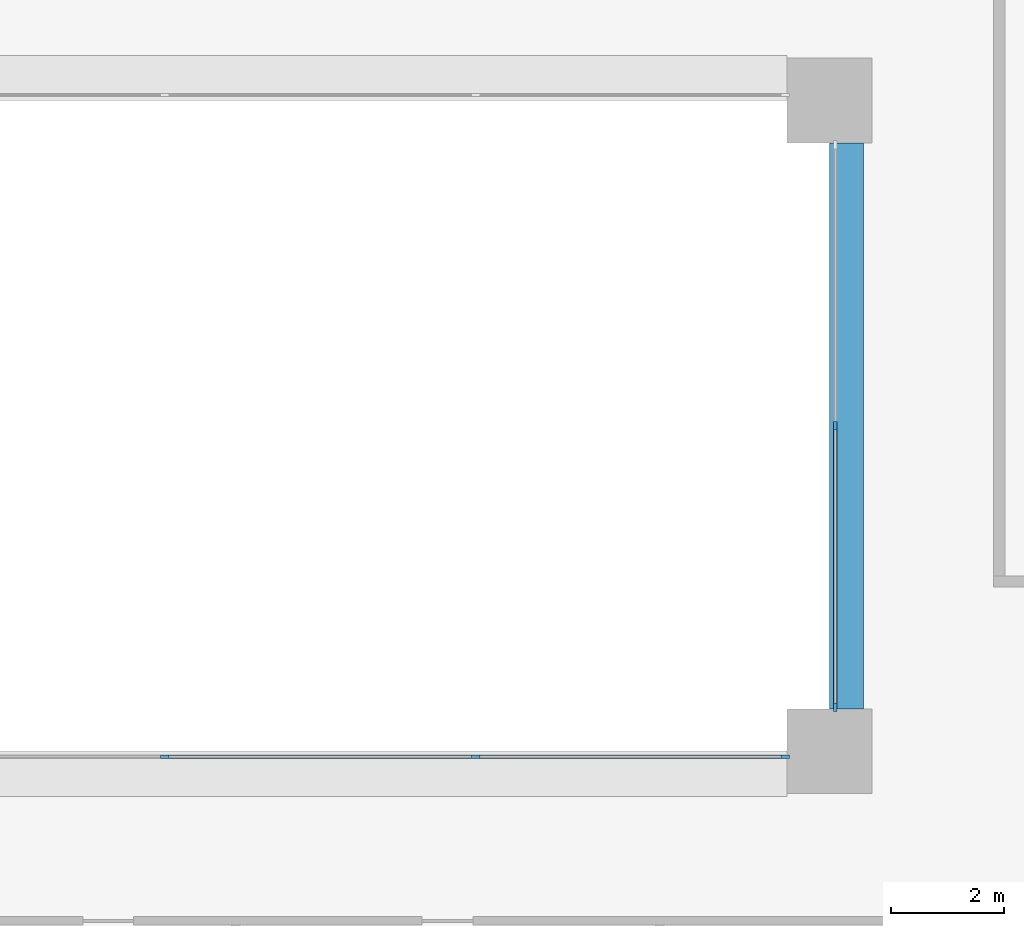
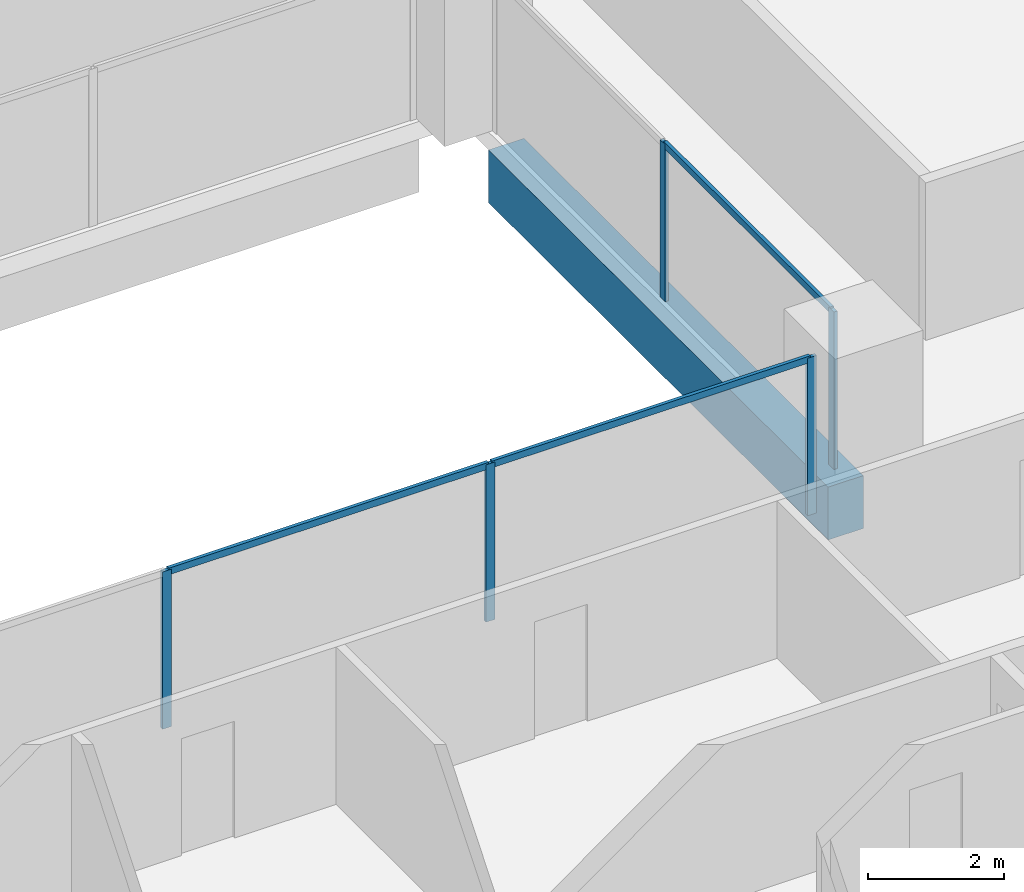
# One storey, part 4 of 20: 8 members, 1 beam, 2 elements without a shape of their own.
"""IFC4 building model written with IfcOpenShell, lengths in metres."""

from ifc_helpers import new_model, si_unit, direction, frame, origin, origin_2d, place, context, subcontext, project, spatial, rectangle, extrude, material, layer, layer_set, material_profile, profile_set, type_object, element, aggregate, save


model = new_model("IFC4")

# Units and contexts
model_context = context("Model", 3, precision=1e-05, world=origin(), true_north=direction((0.0, 1.0)))
body_context = subcontext(model_context, "Body", "Model", "MODEL_VIEW")
ifc_project = project(units=[si_unit("LENGTHUNIT", "METRE"), si_unit("AREAUNIT", "SQUARE_METRE"), si_unit("VOLUMEUNIT", "CUBIC_METRE"), si_unit("PLANEANGLEUNIT", "RADIAN"), si_unit("MASSUNIT", "GRAM", prefix="KILO")], contexts=[model_context])

# Site, building, storey
site_placement = place(None, origin())
site = spatial("IfcSite", under=ifc_project, at=site_placement, CompositionType="ELEMENT")
building_placement = place(site_placement, origin())
building = spatial("IfcBuilding", under=site, at=building_placement, Name="Brigalow Station Residences", CompositionType="ELEMENT")
storey_placement = place(building_placement, frame((0.0, 0.0, 66.75)))
storey = spatial("IfcBuildingStorey", under=building, at=storey_placement, Name="L19", CompositionType="ELEMENT", Elevation=66.75)

# Beam
ifc_material_1 = material(Name="Concrete C65", Category="concrete")
ifc_material_profile_1 = material_profile(ifc_material_1, rectangle(XDim=0.60009765625, YDim=0.949951171875, at=origin_2d()), Name="RC600x950")
ifc_profile_set_1 = profile_set([ifc_material_profile_1], Name="Concrete C65")
beam_type = type_object("IfcBeamType", Name="ATRIUM EDGE GIRDER 600x950 C65", PredefinedType="BEAM", material=ifc_profile_set_1)
beam_placement = place(storey_placement, frame((45.300048828125, 24.75, -0.794921875), z_axis=(0.0, 1.0, 0.0), x_axis=(-1.0, 0.0, 0.0)))
element("IfcBeam", 1, at=beam_placement, inside=storey, type_object=beam_type, Name="ATRIUM EDGE GIRDER 5 L19", PredefinedType="BEAM", context=body_context, shape_type="SweptSolid", body=[
    extrude(rectangle(XDim=0.60009765625, YDim=0.949951171875, at=origin_2d()), origin(), (0.0, 0.0, 1.0), 10.0),
])

# Curtain wall, members
ifc_material_2 = material(Name="Aluminium", Category="aluminium")
ifc_layer = layer(ifc_material_2, 0.14990234375)
ifc_layer_set = layer_set([ifc_layer], Name="ATRIUM FIRE-RATED GLAZING CURTAIN WALL")
curtain_wall_type = type_object("IfcCurtainWallType", Name="ATRIUM FIRE-RATED GLAZING CURTAIN WALL", PredefinedType="NOTDEFINED", material=ifc_layer_set)
curtain_wall_1_placement = place(storey_placement, origin())
curtain_wall_1 = element("IfcCurtainWall", 2, at=curtain_wall_1_placement, inside=storey, type_object=curtain_wall_type, Name="L19/cw/atrium-S", PredefinedType="NOTDEFINED")
ifc_material_3 = material(Name="Aluminium", Category="aluminium")
ifc_material_profile_2 = material_profile(ifc_material_3, rectangle(XDim=0.06005859375, YDim=0.14990234375, at=origin_2d()), Name="ATRIUM FIRE-RATED GLAZING MULLION 60x150")
ifc_profile_set_2 = profile_set([ifc_material_profile_2], Name="Aluminium")
member_type_1 = type_object("IfcMemberType", Name="ATRIUM FIRE-RATED GLAZING MULLION 60x150", PredefinedType="MULLION", material=ifc_profile_set_2)
member_1_placement = place(storey_placement, frame((33.25, 23.89990234375, 0.0), z_axis=(0.0, 0.0, 1.0), x_axis=(0.0, 1.0, 0.0)))
member_1 = element("IfcMember", 3, at=member_1_placement, type_object=member_type_1, Name="L19/cw/atrium-S/M01", PredefinedType="MULLION", context=body_context, shape_type="SweptSolid", body=[
    extrude(rectangle(XDim=0.06005859375, YDim=0.14990234375, at=origin_2d()), origin(), (0.0, 0.0, 1.0), 2.830078125),
])
member_2_placement = place(storey_placement, frame((38.75, 23.89990234375, 0.0), z_axis=(0.0, 0.0, 1.0), x_axis=(0.0, 1.0, 0.0)))
member_2 = element("IfcMember", 4, at=member_2_placement, type_object=member_type_1, Name="L19/cw/atrium-S/M02", PredefinedType="MULLION", context=body_context, shape_type="SweptSolid", body=[
    extrude(rectangle(XDim=0.06005859375, YDim=0.14990234375, at=origin_2d()), origin(), (0.0, 0.0, 1.0), 2.830078125),
])
member_3_placement = place(storey_placement, frame((44.219970703125, 23.89990234375, 0.0), z_axis=(0.0, 0.0, 1.0), x_axis=(0.0, 1.0, 0.0)))
member_3 = element("IfcMember", 5, at=member_3_placement, type_object=member_type_1, Name="L19/cw/atrium-S/M03", PredefinedType="MULLION", context=body_context, shape_type="SweptSolid", body=[
    extrude(rectangle(XDim=0.06005859375, YDim=0.14990234375, at=origin_2d()), origin(), (0.0, 0.0, 1.0), 2.830078125),
])

curtain_wall_2_placement = place(storey_placement, origin())
curtain_wall_2 = element("IfcCurtainWall", 6, at=curtain_wall_2_placement, inside=storey, type_object=curtain_wall_type, Name="L19/cw/atrium-E", PredefinedType="NOTDEFINED")
member_4_placement = place(storey_placement, frame((45.10009765625, 24.780029296875, 0.0), z_axis=(0.0, 0.0, 1.0), x_axis=(-1.0, 0.0, 0.0)))
member_4 = element("IfcMember", 7, at=member_4_placement, type_object=member_type_1, Name="L19/cw/atrium-E/M00", PredefinedType="MULLION", context=body_context, shape_type="SweptSolid", body=[
    extrude(rectangle(XDim=0.06005859375, YDim=0.14990234375, at=origin_2d()), origin(), (0.0, 0.0, 1.0), 2.830078125),
])
member_5_placement = place(storey_placement, frame((45.10009765625, 29.75, 0.0), z_axis=(0.0, 0.0, 1.0), x_axis=(-1.0, 0.0, 0.0)))
member_5 = element("IfcMember", 8, at=member_5_placement, type_object=member_type_1, Name="L19/cw/atrium-E/M01", PredefinedType="MULLION", context=body_context, shape_type="SweptSolid", body=[
    extrude(rectangle(XDim=0.06005859375, YDim=0.14990234375, at=origin_2d()), origin(), (0.0, 0.0, 1.0), 2.830078125),
])

# Member
ifc_material_4 = material(Name="Aluminium", Category="aluminium")
ifc_material_profile_3 = material_profile(ifc_material_4, rectangle(XDim=0.06005859375, YDim=0.1201171875, at=origin_2d()), Name="ATRIUM FIRE-RATED GLAZING TRANSOM 60x120")
ifc_profile_set_3 = profile_set([ifc_material_profile_3], Name="Aluminium")
member_type_2 = type_object("IfcMemberType", Name="ATRIUM FIRE-RATED GLAZING TRANSOM 60x120", PredefinedType="USERDEFINED", material=ifc_profile_set_3)
member_6_placement = place(storey_placement, frame((33.280029296875, 23.89990234375, 2.800048828125), z_axis=(1.0, 0.0, 0.0), x_axis=(0.0, 1.0, 0.0)))
member_6 = element("IfcMember", 9, at=member_6_placement, type_object=member_type_2, Name="L19/cw/atrium-S/T01-00", ObjectType="TRANSOM", PredefinedType="USERDEFINED", context=body_context, shape_type="SweptSolid", body=[
    extrude(rectangle(XDim=0.06005859375, YDim=0.1201171875, at=origin_2d()), origin(), (0.0, 0.0, 1.0), 5.43994140625),
])

member_7_placement = place(storey_placement, frame((38.780029296875, 23.89990234375, 2.800048828125), z_axis=(1.0, 0.0, 0.0), x_axis=(0.0, 1.0, 0.0)))
member_7 = element("IfcMember", 10, at=member_7_placement, type_object=member_type_2, Name="L19/cw/atrium-S/T02-00", ObjectType="TRANSOM", PredefinedType="USERDEFINED", context=body_context, shape_type="SweptSolid", body=[
    extrude(rectangle(XDim=0.06005859375, YDim=0.1201171875, at=origin_2d()), origin(), (0.0, 0.0, 1.0), 5.409912109375),
])

aggregate(curtain_wall_1, [member_1, member_2, member_3, member_6, member_7])

member_8_placement = place(storey_placement, frame((45.10009765625, 24.81005859375, 2.800048828125), z_axis=(0.0, 1.0, 0.0), x_axis=(-1.0, 0.0, 0.0)))
member_8 = element("IfcMember", 11, at=member_8_placement, type_object=member_type_2, Name="L19/cw/atrium-E/T00-00", ObjectType="TRANSOM", PredefinedType="USERDEFINED", context=body_context, shape_type="SweptSolid", body=[
    extrude(rectangle(XDim=0.06005859375, YDim=0.1201171875, at=origin_2d()), origin(), (0.0, 0.0, 1.0), 4.909912109375),
])

aggregate(curtain_wall_2, [member_4, member_5, member_8])

save(model, "model.ifc")
